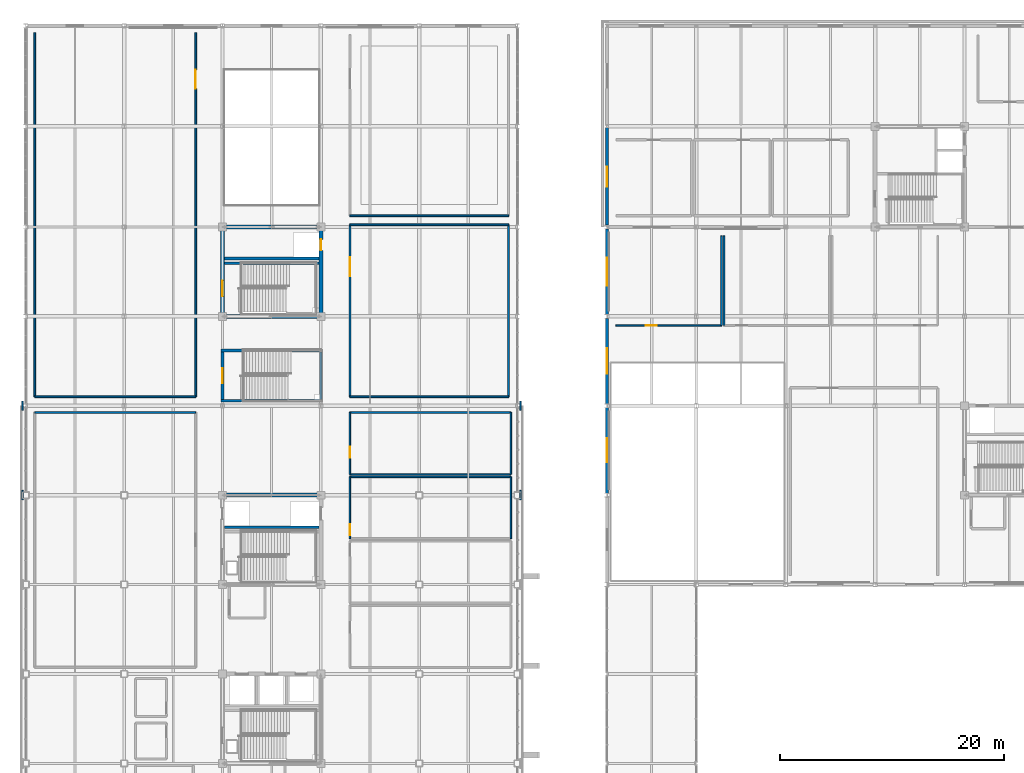
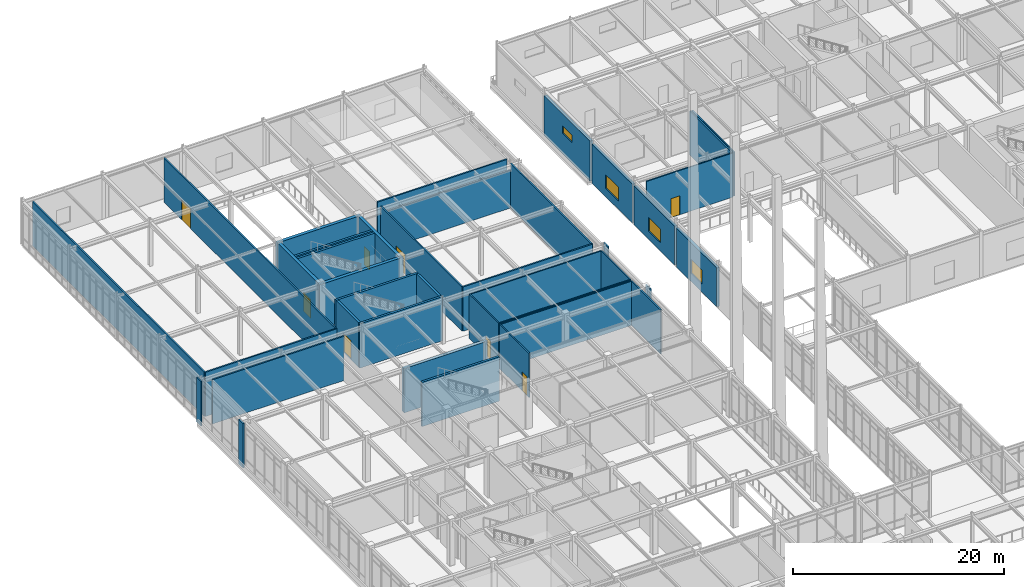
# One storey, part 164 of 184: 39 walls, 8 doors, 4 windows, 12 openings.
"""IFC4 building model written with IfcOpenShell, lengths in metres."""

from ifc_helpers import new_model, si_unit, direction, frame, frame_2d, origin, place, context, subcontext, project, spatial, rectangle, extrude, material, layer, layer_set, type_object, element, fill, save


model = new_model("IFC4")

# Units and contexts
model_context = context("Model", 3, precision=1e-05, world=origin(), true_north=direction((0.0, 1.0)))
body_context = subcontext(model_context, "Body", "Model", "MODEL_VIEW")
ifc_project = project(units=[si_unit("LENGTHUNIT", "METRE"), si_unit("AREAUNIT", "SQUARE_METRE"), si_unit("VOLUMEUNIT", "CUBIC_METRE"), si_unit("PLANEANGLEUNIT", "RADIAN"), si_unit("MASSUNIT", "GRAM", prefix="KILO")], contexts=[model_context])

# Site, building, storey
site_placement = place(None, origin())
site = spatial("IfcSite", under=ifc_project, at=site_placement, CompositionType="ELEMENT")
building_placement = place(site_placement, origin())
building = spatial("IfcBuilding", under=site, at=building_placement, Name="Zhaolan Boulevard Law Courts", CompositionType="ELEMENT")
storey_placement = place(building_placement, frame((0.0, 0.0, 5.39990234375)))
storey = spatial("IfcBuildingStorey", under=building, at=storey_placement, Name="L01", CompositionType="ELEMENT", Elevation=5.39990234375)

# Walls
ifc_material_1 = material(Name="Concrete C50", Category="concrete")
ifc_layer_1 = layer(ifc_material_1, 0.35009765625)
ifc_layer_set_1 = layer_set([ifc_layer_1])
wall_type_1 = type_object("IfcWallType", Name="CORE SHEAR WALL 350", PredefinedType="SHEAR", material=ifc_layer_set_1)
for number, where, z_axis, x_axis, name in (
    (1, (26.574951171875, 70.0, 0.0), (0.0, 0.0, 1.0), (-1.0, 0.0, 0.0), "Core Shear Wall CW-W2-L01N"),
    (2, (17.425048828125, 86.0, 0.0), (0.0, 0.0, 1.0), (1.0, 0.0, 0.0), "Core Shear Wall CW-L1-L01S"),
    (3, (26.574951171875, 94.0, 0.0), (0.0, 0.0, 1.0), (-1.0, 0.0, 0.0), "Core Shear Wall CW-L1-L01N"),
):
    element("IfcWall", number, at=place(storey_placement, frame(where, z_axis=z_axis, x_axis=x_axis)), inside=storey, type_object=wall_type_1, Name=name, PredefinedType="SHEAR", context=body_context, shape_type="SweptSolid", body=[
        extrude(rectangle(XDim=9.14990234375, YDim=0.35009765625, at=frame_2d((4.574951171875, 0.0))), origin(), (0.0, 0.0, 1.0), 5.1201171875),
    ])

# Wall, opening, door
wall_1_placement = place(storey_placement, frame((17.60009765625, 86.175048828125, 0.0), z_axis=(0.0, 0.0, 1.0), x_axis=(0.0, 1.0, 0.0)))
wall_1 = element("IfcWall", 4, at=wall_1_placement, inside=storey, type_object=wall_type_1, Name="Core Shear Wall CW-L1-L01W", PredefinedType="SHEAR", context=body_context, shape_type="SweptSolid", body=[
    extrude(rectangle(XDim=7.64990234375, YDim=0.35009765625, at=frame_2d((3.824951171875, 0.0))), origin(), (0.0, 0.0, 1.0), 5.1201171875),
])
opening_1_placement = place(wall_1_placement, frame((1.625, 0.0, 0.0)))
opening_1 = element("IfcOpeningElement", 5, at=opening_1_placement, cuts=wall_1, Name="Opening SD-L01-39", PredefinedType="OPENING", context=body_context, shape_type="SweptSolid", body=[
    extrude(rectangle(XDim=1.39990234375, YDim=2.199951171875, at=frame_2d((0.699951171875, 1.10009765625))), frame((0.0, 0.18505859375, 0.0), z_axis=(0.0, -1.0, 0.0), x_axis=(1.0, 0.0, 0.0)), (0.0, 0.0, 1.0), 0.3701171875),
])
ifc_material_2 = material(Name="Fire-rated steel acoustic door", Category="steel")
door_type_1 = type_object("IfcDoorType", Name="STAIR FIRE 1400X2200 L", OperationType="SINGLE_SWING_LEFT", PredefinedType="DOOR", material=ifc_material_2)
door_1_placement = place(opening_1_placement, origin())
door_1 = element("IfcDoor", 6, at=door_1_placement, inside=storey, type_object=door_type_1, Name="Smoke-Proof Stairwell Fire Door SD-L01-39", OperationType="SINGLE_SWING_LEFT", OverallHeight=2.199951171875, OverallWidth=1.39990234375, PredefinedType="DOOR", context=body_context, shape_type="SweptSolid", body=[
    extrude(rectangle(XDim=1.39990234375, YDim=2.199951171875, at=frame_2d((0.699951171875, 1.10009765625))), frame((0.0, 0.02490234375, 0.0), z_axis=(0.0, -1.0, 0.0), x_axis=(1.0, 0.0, 0.0)), (0.0, 0.0, 1.0), 0.050048828125),
])
fill(opening_1, door_1)

wall_2_placement = place(storey_placement, frame((26.39990234375, 86.175048828125, 0.0), z_axis=(0.0, 0.0, 1.0), x_axis=(0.0, 1.0, 0.0)))
wall_2 = element("IfcWall", 7, at=wall_2_placement, inside=storey, type_object=wall_type_1, Name="Core Shear Wall CW-L1-L01E", PredefinedType="SHEAR", context=body_context, shape_type="SweptSolid", body=[
    extrude(rectangle(XDim=7.64990234375, YDim=0.35009765625, at=frame_2d((3.824951171875, 0.0))), origin(), (0.0, 0.0, 1.0), 5.1201171875),
])
opening_2_placement = place(wall_2_placement, frame((5.72509765625, 0.0, 0.0)))
opening_2 = element("IfcOpeningElement", 8, at=opening_2_placement, cuts=wall_2, Name="Opening LD-PL-04-L01", PredefinedType="OPENING", context=body_context, shape_type="SweptSolid", body=[
    extrude(rectangle(XDim=1.0, YDim=2.14990234375, at=frame_2d((0.5, 1.074951171875))), frame((0.0, 0.18505859375, 0.0), z_axis=(0.0, -1.0, 0.0), x_axis=(1.0, 0.0, 0.0)), (0.0, 0.0, 1.0), 0.3701171875),
])
ifc_material_3 = material(Name="Stainless steel sliding landing door", Category="steel")
door_type_2 = type_object("IfcDoorType", Name="LIFT LANDING 1000X2150", OperationType="DOUBLE_DOOR_SLIDING", PredefinedType="DOOR", material=ifc_material_3)
door_2_placement = place(opening_2_placement, origin())
door_2 = element("IfcDoor", 9, at=door_2_placement, inside=storey, type_object=door_type_2, Name="Lift Landing Sliding Door LD-PL-04-L01", OperationType="DOUBLE_DOOR_SLIDING", OverallHeight=2.14990234375, OverallWidth=1.0, PredefinedType="DOOR", context=body_context, shape_type="SweptSolid", body=[
    extrude(rectangle(XDim=1.0, YDim=2.14990234375, at=frame_2d((0.5, 1.074951171875))), frame((0.0, 0.02490234375, 0.0), z_axis=(0.0, -1.0, 0.0), x_axis=(1.0, 0.0, 0.0)), (0.0, 0.0, 1.0), 0.050048828125),
])
fill(opening_2, door_2)

# Walls
ifc_material_4 = material(Name="Concrete C40", Category="concrete")
ifc_layer_2 = layer(ifc_material_4, 0.139892578125)
ifc_layer_set_2 = layer_set([ifc_layer_2])
wall_type_2 = type_object("IfcWallType", Name="EXT WALL ARCH CLAD140", PredefinedType="SOLIDWALL", material=ifc_layer_set_2)
for number, where, z_axis, x_axis, name in (
    (10, (-0.280029296875, 69.580078125, 0.0), (0.0, 0.0, 1.0), (0.0, 1.0, 0.0), "Concrete Column Cloak Pier CPR-050"),
    (11, (44.280029296875, 69.580078125, 0.0), (0.0, 0.0, 1.0), (0.0, 1.0, 0.0), "Concrete Column Cloak Pier CPR-051"),
    (12, (-0.280029296875, 77.580078125, 0.0), (0.0, 0.0, 1.0), (0.0, 1.0, 0.0), "Concrete Column Cloak Pier CPR-052"),
    (13, (44.280029296875, 77.580078125, 0.0), (0.0, 0.0, 1.0), (0.0, 1.0, 0.0), "Concrete Column Cloak Pier CPR-053"),
):
    element("IfcWall", number, at=place(storey_placement, frame(where, z_axis=z_axis, x_axis=x_axis)), inside=storey, type_object=wall_type_2, Name=name, PredefinedType="SOLIDWALL", context=body_context, shape_type="SweptSolid", body=[
        extrude(rectangle(XDim=0.83984375, YDim=0.139892578125, at=frame_2d((0.419921875, 0.0))), origin(), (0.0, 0.0, 1.0), 5.14013671875),
    ])

# Wall, opening, window
ifc_material_5 = material(Name="Concrete C40", Category="concrete")
ifc_layer_3 = layer(ifc_material_5, 0.300048828125)
ifc_layer_set_3 = layer_set([ifc_layer_3])
wall_type_3 = type_object("IfcWallType", Name="EXT WALL CONCRETE300", PredefinedType="SOLIDWALL", material=ifc_layer_set_3)
wall_3_placement = place(storey_placement, frame((52.0, 77.8291015625, 0.0), z_axis=(0.0, 0.0, 1.0), x_axis=(0.0, -1.0, 0.0)))
wall_3 = element("IfcWall", 14, at=wall_3_placement, inside=storey, type_object=wall_type_3, Name="Exterior Wall EW-L01-230", PredefinedType="SOLIDWALL", context=body_context, shape_type="SweptSolid", body=[
    extrude(rectangle(XDim=7.658203125, YDim=0.300048828125, at=frame_2d((3.8291015625, 0.0))), origin(), (0.0, 0.0, 1.0), 4.503173828125),
])
opening_3_placement = place(wall_3_placement, frame((2.75390625, 0.0, 0.949951171875)))
opening_3 = element("IfcOpeningElement", 15, at=opening_3_placement, cuts=wall_3, Name="Opening WIN-L01-087", PredefinedType="OPENING", context=body_context, shape_type="SweptSolid", body=[
    extrude(rectangle(XDim=2.14990234375, YDim=1.60009765625, at=frame_2d((1.074951171875, 0.800048828125))), frame((0.0, 0.159912109375, 0.0), z_axis=(0.0, -1.0, 0.0), x_axis=(1.0, 0.0, 0.0)), (0.0, 0.0, 1.0), 0.320068359375),
])
ifc_material_6 = material(Name="Thermally broken aluminium and low-E glazing", Category="aluminium")
window_type_1 = type_object("IfcWindowType", Name="WINDOW 2150X1600", PartitioningType="DOUBLE_PANEL_VERTICAL", PredefinedType="WINDOW", material=ifc_material_6)
window_1_placement = place(opening_3_placement, origin())
window_1 = element("IfcWindow", 16, at=window_1_placement, inside=storey, type_object=window_type_1, Name="Exterior Window WIN-L01-087", OverallHeight=1.60009765625, OverallWidth=2.14990234375, PartitioningType="SINGLE_PANEL", PredefinedType="WINDOW", context=body_context, shape_type="SweptSolid", body=[
    extrude(rectangle(XDim=2.14990234375, YDim=1.60009765625, at=frame_2d((1.074951171875, 0.800048828125))), frame((0.0, 0.030029296875, 0.0), z_axis=(0.0, -1.0, 0.0), x_axis=(1.0, 0.0, 0.0)), (0.0, 0.0, 1.0), 0.06005859375),
])
fill(opening_3, window_1)

wall_4_placement = place(storey_placement, frame((52.0, 85.8291015625, 0.0), z_axis=(0.0, 0.0, 1.0), x_axis=(0.0, -1.0, 0.0)))
wall_4 = element("IfcWall", 17, at=wall_4_placement, inside=storey, type_object=wall_type_3, Name="Exterior Wall EW-L01-231", PredefinedType="SOLIDWALL", context=body_context, shape_type="SweptSolid", body=[
    extrude(rectangle(XDim=7.658203125, YDim=0.300048828125, at=frame_2d((3.8291015625, 0.0))), origin(), (0.0, 0.0, 1.0), 4.503173828125),
])
opening_4_placement = place(wall_4_placement, frame((2.678955078125, 0.0, 0.949951171875)))
opening_4 = element("IfcOpeningElement", 18, at=opening_4_placement, cuts=wall_4, Name="Opening WIN-L01-088", PredefinedType="OPENING", context=body_context, shape_type="SweptSolid", body=[
    extrude(rectangle(XDim=2.300048828125, YDim=1.60009765625, at=frame_2d((1.14990234375, 0.800048828125))), frame((0.0, 0.159912109375, 0.0), z_axis=(0.0, -1.0, 0.0), x_axis=(1.0, 0.0, 0.0)), (0.0, 0.0, 1.0), 0.320068359375),
])
ifc_material_7 = material(Name="Thermally broken aluminium and low-E glazing", Category="aluminium")
window_type_2 = type_object("IfcWindowType", Name="WINDOW 2300X1600", PartitioningType="DOUBLE_PANEL_VERTICAL", PredefinedType="WINDOW", material=ifc_material_7)
window_2_placement = place(opening_4_placement, origin())
window_2 = element("IfcWindow", 19, at=window_2_placement, inside=storey, type_object=window_type_2, Name="Exterior Window WIN-L01-088", OverallHeight=1.60009765625, OverallWidth=2.300048828125, PartitioningType="SINGLE_PANEL", PredefinedType="WINDOW", context=body_context, shape_type="SweptSolid", body=[
    extrude(rectangle(XDim=2.300048828125, YDim=1.60009765625, at=frame_2d((1.14990234375, 0.800048828125))), frame((0.0, 0.030029296875, 0.0), z_axis=(0.0, -1.0, 0.0), x_axis=(1.0, 0.0, 0.0)), (0.0, 0.0, 1.0), 0.06005859375),
])
fill(opening_4, window_2)

wall_5_placement = place(storey_placement, frame((52.0, 93.8291015625, 0.0), z_axis=(0.0, 0.0, 1.0), x_axis=(0.0, -1.0, 0.0)))
wall_5 = element("IfcWall", 20, at=wall_5_placement, inside=storey, type_object=wall_type_3, Name="Exterior Wall EW-L01-232", PredefinedType="SOLIDWALL", context=body_context, shape_type="SweptSolid", body=[
    extrude(rectangle(XDim=7.658203125, YDim=0.300048828125, at=frame_2d((3.8291015625, 0.0))), origin(), (0.0, 0.0, 1.0), 4.503173828125),
])
opening_5_placement = place(wall_5_placement, frame((2.5791015625, 0.0, 0.949951171875)))
opening_5 = element("IfcOpeningElement", 21, at=opening_5_placement, cuts=wall_5, Name="Opening WIN-L01-089", PredefinedType="OPENING", context=body_context, shape_type="SweptSolid", body=[
    extrude(rectangle(XDim=2.5, YDim=1.60009765625, at=frame_2d((1.25, 0.800048828125))), frame((0.0, 0.159912109375, 0.0), z_axis=(0.0, -1.0, 0.0), x_axis=(1.0, 0.0, 0.0)), (0.0, 0.0, 1.0), 0.320068359375),
])
ifc_material_8 = material(Name="Thermally broken aluminium and low-E glazing", Category="aluminium")
window_type_3 = type_object("IfcWindowType", Name="WINDOW 2500X1600", PartitioningType="DOUBLE_PANEL_VERTICAL", PredefinedType="WINDOW", material=ifc_material_8)
window_3_placement = place(opening_5_placement, origin())
window_3 = element("IfcWindow", 22, at=window_3_placement, inside=storey, type_object=window_type_3, Name="Exterior Window WIN-L01-089", OverallHeight=1.60009765625, OverallWidth=2.5, PartitioningType="SINGLE_PANEL", PredefinedType="WINDOW", context=body_context, shape_type="SweptSolid", body=[
    extrude(rectangle(XDim=2.5, YDim=1.60009765625, at=frame_2d((1.25, 0.800048828125))), frame((0.0, 0.030029296875, 0.0), z_axis=(0.0, -1.0, 0.0), x_axis=(1.0, 0.0, 0.0)), (0.0, 0.0, 1.0), 0.06005859375),
])
fill(opening_5, window_3)

wall_6_placement = place(storey_placement, frame((52.0, 102.87890625, 0.0), z_axis=(0.0, 0.0, 1.0), x_axis=(0.0, -1.0, 0.0)))
wall_6 = element("IfcWall", 23, at=wall_6_placement, inside=storey, type_object=wall_type_3, Name="Exterior Wall EW-L01-324", PredefinedType="SOLIDWALL", context=body_context, shape_type="SweptSolid", body=[
    extrude(rectangle(XDim=8.7080078125, YDim=0.300048828125, at=frame_2d((4.35400390625, 0.0))), origin(), (0.0, 0.0, 1.0), 4.64111328125),
])
opening_6_placement = place(wall_6_placement, frame((3.47900390625, 0.0, 2.39990234375)))
opening_6 = element("IfcOpeningElement", 24, at=opening_6_placement, cuts=wall_6, Name="Opening WIN-L01-179", PredefinedType="OPENING", context=body_context, shape_type="SweptSolid", body=[
    extrude(rectangle(XDim=1.800048828125, YDim=0.85009765625, at=frame_2d((0.89990234375, 0.425048828125))), frame((0.0, 0.159912109375, 0.0), z_axis=(0.0, -1.0, 0.0), x_axis=(1.0, 0.0, 0.0)), (0.0, 0.0, 1.0), 0.320068359375),
])
ifc_material_9 = material(Name="Thermally broken aluminium and low-E glazing", Category="aluminium")
window_type_4 = type_object("IfcWindowType", Name="WINDOW 1800X850", PartitioningType="DOUBLE_PANEL_VERTICAL", PredefinedType="WINDOW", material=ifc_material_9)
window_4_placement = place(opening_6_placement, origin())
window_4 = element("IfcWindow", 25, at=window_4_placement, inside=storey, type_object=window_type_4, Name="Exterior Window WIN-L01-179", OverallHeight=0.85009765625, OverallWidth=1.800048828125, PartitioningType="SINGLE_PANEL", PredefinedType="WINDOW", context=body_context, shape_type="SweptSolid", body=[
    extrude(rectangle(XDim=1.800048828125, YDim=0.85009765625, at=frame_2d((0.89990234375, 0.425048828125))), frame((0.0, 0.030029296875, 0.0), z_axis=(0.0, -1.0, 0.0), x_axis=(1.0, 0.0, 0.0)), (0.0, 0.0, 1.0), 0.06005859375),
])
fill(opening_6, window_4)

# Walls
ifc_material_10 = material(Name="Concrete C50", Category="concrete")
ifc_layer_4 = layer(ifc_material_10, 0.239990234375)
ifc_layer_set_4 = layer_set([ifc_layer_4])
wall_type_4 = type_object("IfcWallType", Name="LIFT SHAFT WALL 240", PredefinedType="SHEAR", material=ifc_layer_set_4)
for number, where, z_axis, x_axis, name in (
    (26, (17.77490234375, 67.1298828125, 0.0), (0.0, 0.0, 1.0), (1.0, 0.0, 0.0), "Lift Shaft Enclosure Wall W2 (L01)"),
    (27, (17.77490234375, 91.179931640625, 0.0), (0.0, 0.0, 1.0), (1.0, 0.0, 0.0), "Lift Shaft Enclosure Wall L1 (L01)"),
):
    element("IfcWall", number, at=place(storey_placement, frame(where, z_axis=z_axis, x_axis=x_axis)), inside=storey, type_object=wall_type_4, Name=name, PredefinedType="SHEAR", context=body_context, shape_type="SweptSolid", body=[
        extrude(rectangle(XDim=8.4501953125, YDim=0.239990234375, at=frame_2d((4.22509765625, 0.0))), origin(), (0.0, 0.0, 1.0), 5.1201171875),
    ])
ifc_material_11 = material(Name="Fire-rated gypsum stud partition")
ifc_layer_5 = layer(ifc_material_11, 0.159912109375)
ifc_layer_set_5 = layer_set([ifc_layer_5])
wall_type_5 = type_object("IfcWallType", Name="PART WALL CHAMB160", PredefinedType="PARTITIONING", material=ifc_layer_set_5)
wall_7_placement = place(storey_placement, frame((0.800048828125, 78.800048828125, 0.0), z_axis=(0.0, 0.0, 1.0), x_axis=(1.0, 0.0, 0.0)))
element("IfcWall", 28, at=wall_7_placement, inside=storey, type_object=wall_type_5, Name="Interior Partition PW-L01-393", PredefinedType="PARTITIONING", context=body_context, shape_type="SweptSolid", body=[
    extrude(rectangle(XDim=14.39990234375, YDim=0.159912109375, at=frame_2d((7.199951171875, 0.0))), origin(), (0.0, 0.0, 1.0), 5.1201171875),
])
wall_8_placement = place(storey_placement, frame((0.800048828125, 111.39990234375, 0.0), z_axis=(0.0, 0.0, 1.0), x_axis=(0.0, -1.0, 0.0)))
element("IfcWall", 29, at=wall_8_placement, inside=storey, type_object=wall_type_5, Name="Interior Partition PW-L01-394", PredefinedType="PARTITIONING", context=body_context, shape_type="SweptSolid", body=[
    extrude(rectangle(XDim=32.599853515625, YDim=0.159912109375, at=frame_2d((16.2998046875, 0.0))), origin(), (0.0, 0.0, 1.0), 5.1201171875),
])

# Wall, opening, door
wall_9_placement = place(storey_placement, frame((15.199951171875, 78.800048828125, 0.0), z_axis=(0.0, 0.0, 1.0), x_axis=(0.0, 1.0, 0.0)))
wall_9 = element("IfcWall", 30, at=wall_9_placement, inside=storey, type_object=wall_type_5, Name="Interior Partition PW-L01-395", PredefinedType="PARTITIONING", context=body_context, shape_type="SweptSolid", body=[
    extrude(rectangle(XDim=32.599853515625, YDim=0.159912109375, at=frame_2d((16.2998046875, 0.0))), origin(), (0.0, 0.0, 1.0), 5.1201171875),
])
opening_7_placement = place(wall_9_placement, frame((27.570068359375, 0.0, 0.0)))
opening_7 = element("IfcOpeningElement", 31, at=opening_7_placement, cuts=wall_9, Name="Opening ID-L01-123", PredefinedType="OPENING", context=body_context, shape_type="SweptSolid", body=[
    extrude(rectangle(XDim=1.699951171875, YDim=2.300048828125, at=frame_2d((0.85009765625, 1.14990234375))), frame((0.0, 0.08984375, 0.0), z_axis=(0.0, -1.0, 0.0), x_axis=(1.0, 0.0, 0.0)), (0.0, 0.0, 1.0), 0.179931640625),
])
ifc_material_12 = material(Name="Solid-core acoustic oak veneer door")
door_type_3 = type_object("IfcDoorType", Name="LIB DOUBLE 1700X2300", OperationType="DOUBLE_DOOR_SINGLE_SWING", PredefinedType="DOOR", material=ifc_material_12)
door_3_placement = place(opening_7_placement, origin())
door_3 = element("IfcDoor", 32, at=door_3_placement, inside=storey, type_object=door_type_3, Name="Door ID-L01-123 (Law Library Main Reading Room)", OperationType="DOUBLE_DOOR_SINGLE_SWING", OverallHeight=2.300048828125, OverallWidth=1.699951171875, PredefinedType="DOOR", context=body_context, shape_type="SweptSolid", body=[
    extrude(rectangle(XDim=1.699951171875, YDim=2.300048828125, at=frame_2d((0.85009765625, 1.14990234375))), frame((0.0, 0.02490234375, 0.0), z_axis=(0.0, -1.0, 0.0), x_axis=(1.0, 0.0, 0.0)), (0.0, 0.0, 1.0), 0.050048828125),
])
fill(opening_7, door_3)

# Walls
wall_10_placement = place(storey_placement, frame((29.0, 95.0, 0.0), z_axis=(0.0, 0.0, 1.0), x_axis=(1.0, 0.0, 0.0)))
element("IfcWall", 33, at=wall_10_placement, inside=storey, type_object=wall_type_5, Name="Interior Partition PW-L01-396", PredefinedType="PARTITIONING", context=body_context, shape_type="SweptSolid", body=[
    extrude(rectangle(XDim=14.199951171875, YDim=0.159912109375, at=frame_2d((7.10009765625, 0.0))), origin(), (0.0, 0.0, 1.0), 5.1201171875),
])
wall_11_placement = place(storey_placement, frame((15.199951171875, 77.39990234375, 0.0), z_axis=(0.0, 0.0, 1.0), x_axis=(-1.0, 0.0, 0.0)))
element("IfcWall", 34, at=wall_11_placement, inside=storey, type_object=wall_type_5, Name="Interior Partition PW-L01-404", PredefinedType="PARTITIONING", context=body_context, shape_type="SweptSolid", body=[
    extrude(rectangle(XDim=14.39990234375, YDim=0.159912109375, at=frame_2d((7.199951171875, 0.0))), origin(), (0.0, 0.0, 1.0), 5.1201171875),
])
wall_12_placement = place(storey_placement, frame((29.0, 78.800048828125, 0.0), z_axis=(0.0, 0.0, 1.0), x_axis=(1.0, 0.0, 0.0)))
element("IfcWall", 35, at=wall_12_placement, inside=storey, type_object=wall_type_5, Name="Interior Partition PW-L01-763", PredefinedType="PARTITIONING", context=body_context, shape_type="SweptSolid", body=[
    extrude(rectangle(XDim=14.199951171875, YDim=0.159912109375, at=frame_2d((7.10009765625, 0.0))), origin(), (0.0, 0.0, 1.0), 5.1201171875),
])
wall_13_placement = place(storey_placement, frame((43.199951171875, 94.199951171875, 0.0), z_axis=(0.0, 0.0, 1.0), x_axis=(-1.0, 0.0, 0.0)))
element("IfcWall", 36, at=wall_13_placement, inside=storey, type_object=wall_type_5, Name="Interior Partition PW-L01-764", PredefinedType="PARTITIONING", context=body_context, shape_type="SweptSolid", body=[
    extrude(rectangle(XDim=14.199951171875, YDim=0.159912109375, at=frame_2d((7.10009765625, 0.0))), origin(), (0.0, 0.0, 1.0), 4.406005859375),
])

# Wall, opening, door
wall_14_placement = place(storey_placement, frame((29.0, 94.199951171875, 0.0), z_axis=(0.0, 0.0, 1.0), x_axis=(0.0, -1.0, 0.0)))
wall_14 = element("IfcWall", 37, at=wall_14_placement, inside=storey, type_object=wall_type_5, Name="Interior Partition PW-L01-765", PredefinedType="PARTITIONING", context=body_context, shape_type="SweptSolid", body=[
    extrude(rectangle(XDim=15.39990234375, YDim=0.159912109375, at=frame_2d((7.699951171875, 0.0))), origin(), (0.0, 0.0, 1.0), 5.1201171875),
])
opening_8_placement = place(wall_14_placement, frame((2.919921875, 0.0, 0.0)))
opening_8 = element("IfcOpeningElement", 38, at=opening_8_placement, cuts=wall_14, Name="Opening ID-L01-239", PredefinedType="OPENING", context=body_context, shape_type="SweptSolid", body=[
    extrude(rectangle(XDim=1.699951171875, YDim=2.300048828125, at=frame_2d((0.85009765625, 1.14990234375))), frame((0.0, 0.08984375, 0.0), z_axis=(0.0, -1.0, 0.0), x_axis=(1.0, 0.0, 0.0)), (0.0, 0.0, 1.0), 0.179931640625),
])
door_4_placement = place(opening_8_placement, origin())
door_4 = element("IfcDoor", 39, at=door_4_placement, inside=storey, type_object=door_type_3, Name="Door ID-L01-239 (Law Library Case Preparation Hall L01)", OperationType="DOUBLE_DOOR_SINGLE_SWING", OverallHeight=2.300048828125, OverallWidth=1.699951171875, PredefinedType="DOOR", context=body_context, shape_type="SweptSolid", body=[
    extrude(rectangle(XDim=1.699951171875, YDim=2.300048828125, at=frame_2d((0.85009765625, 1.14990234375))), frame((0.0, 0.02490234375, 0.0), z_axis=(0.0, -1.0, 0.0), x_axis=(1.0, 0.0, 0.0)), (0.0, 0.0, 1.0), 0.050048828125),
])
fill(opening_8, door_4)

# Wall
wall_15_placement = place(storey_placement, frame((43.199951171875, 78.800048828125, 0.0), z_axis=(0.0, 0.0, 1.0), x_axis=(0.0, 1.0, 0.0)))
element("IfcWall", 40, at=wall_15_placement, inside=storey, type_object=wall_type_5, Name="Interior Partition PW-L01-766", PredefinedType="PARTITIONING", context=body_context, shape_type="SweptSolid", body=[
    extrude(rectangle(XDim=15.39990234375, YDim=0.159912109375, at=frame_2d((7.699951171875, 0.0))), origin(), (0.0, 0.0, 1.0), 5.1201171875),
])

# Wall, opening, door
ifc_material_13 = material(Name="Fire-rated gypsum stud partition")
ifc_layer_6 = layer(ifc_material_13, 0.139892578125)
ifc_layer_set_6 = layer_set([ifc_layer_6])
wall_type_6 = type_object("IfcWallType", Name="PART WALL OFFICE140", PredefinedType="PARTITIONING", material=ifc_layer_set_6)
wall_16_placement = place(storey_placement, frame((52.800048828125, 85.199951171875, 0.0), z_axis=(0.0, 0.0, 1.0), x_axis=(1.0, 0.0, 0.0)))
wall_16 = element("IfcWall", 41, at=wall_16_placement, inside=storey, type_object=wall_type_6, Name="Interior Partition PW-L01-373", PredefinedType="PARTITIONING", context=body_context, shape_type="SweptSolid", body=[
    extrude(rectangle(XDim=9.452880859375, YDim=0.139892578125, at=frame_2d((4.7265625, 0.0))), origin(), (0.0, 0.0, 1.0), 5.1201171875),
])
opening_9_placement = place(wall_16_placement, frame((2.656005859375, 0.0, 0.0)))
opening_9 = element("IfcOpeningElement", 42, at=opening_9_placement, cuts=wall_16, Name="Opening JD-L01-116", PredefinedType="OPENING", context=body_context, shape_type="SweptSolid", body=[
    extrude(rectangle(XDim=1.0, YDim=2.199951171875, at=frame_2d((0.5, 1.10009765625))), frame((0.0, 0.079833984375, 0.0), z_axis=(0.0, -1.0, 0.0), x_axis=(1.0, 0.0, 0.0)), (0.0, 0.0, 1.0), 0.159912109375),
])
ifc_material_14 = material(Name="Solid-core acoustic oak veneer door")
door_type_4 = type_object("IfcDoorType", Name="CHAMBER DOOR 1000X2200 L", OperationType="SINGLE_SWING_LEFT", PredefinedType="DOOR", material=ifc_material_14)
door_5_placement = place(opening_9_placement, origin())
door_5 = element("IfcDoor", 43, at=door_5_placement, inside=storey, type_object=door_type_4, Name="Door JD-L01-116 (Judges' Chambers L01-01)", OperationType="SINGLE_SWING_LEFT", OverallHeight=2.199951171875, OverallWidth=1.0, PredefinedType="DOOR", context=body_context, shape_type="SweptSolid", body=[
    extrude(rectangle(XDim=1.0, YDim=2.199951171875, at=frame_2d((0.5, 1.10009765625))), frame((0.0, 0.02490234375, 0.0), z_axis=(0.0, -1.0, 0.0), x_axis=(1.0, 0.0, 0.0)), (0.0, 0.0, 1.0), 0.050048828125),
])
fill(opening_9, door_5)

# Walls
for number, where, z_axis, x_axis, name in (
    (44, (62.2529296875, 85.199951171875, 0.0), (0.0, 0.0, 1.0), (0.0, 1.0, 0.0), "Interior Partition PW-L01-374"),
    (45, (62.472900390625, 93.199951171875, 0.0), (0.0, 0.0, 1.0), (0.0, -1.0, 0.0), "Interior Partition PW-L01-376"),
):
    element("IfcWall", number, at=place(storey_placement, frame(where, z_axis=z_axis, x_axis=x_axis)), inside=storey, type_object=wall_type_6, Name=name, PredefinedType="PARTITIONING", context=body_context, shape_type="SweptSolid", body=[
        extrude(rectangle(XDim=8.0, YDim=0.139892578125, at=frame_2d((4.0, 0.0))), origin(), (0.0, 0.0, 1.0), 5.1201171875),
    ])
wall_17_placement = place(storey_placement, frame((43.39990234375, 71.64501953125, 0.0), z_axis=(0.0, 0.0, 1.0), x_axis=(-1.0, 0.0, 0.0)))
element("IfcWall", 46, at=wall_17_placement, inside=storey, type_object=wall_type_6, Name="Interior Partition PW-L01-416", PredefinedType="PARTITIONING", context=body_context, shape_type="SweptSolid", body=[
    extrude(rectangle(XDim=14.39990234375, YDim=0.139892578125, at=frame_2d((7.199951171875, 0.0))), origin(), (0.0, 0.0, 1.0), 5.1201171875),
])

# Wall, opening, door
wall_18_placement = place(storey_placement, frame((29.0, 71.64501953125, 0.0), z_axis=(0.0, 0.0, 1.0), x_axis=(0.0, -1.0, 0.0)))
wall_18 = element("IfcWall", 47, at=wall_18_placement, inside=storey, type_object=wall_type_6, Name="Interior Partition PW-L01-417", PredefinedType="PARTITIONING", context=body_context, shape_type="SweptSolid", body=[
    extrude(rectangle(XDim=5.534912109375, YDim=0.139892578125, at=frame_2d((2.767578125, 0.0))), origin(), (0.0, 0.0, 1.0), 5.1201171875),
])
opening_10_placement = place(wall_18_placement, frame((4.2548828125, 0.0, 0.0)))
opening_10 = element("IfcOpeningElement", 48, at=opening_10_placement, cuts=wall_18, Name="Opening JD-L01-129", PredefinedType="OPENING", context=body_context, shape_type="SweptSolid", body=[
    extrude(rectangle(XDim=0.97998046875, YDim=2.199951171875, at=frame_2d((0.489990234375, 1.10009765625))), frame((0.0, 0.079833984375, 0.0), z_axis=(0.0, -1.0, 0.0), x_axis=(1.0, 0.0, 0.0)), (0.0, 0.0, 1.0), 0.159912109375),
])
ifc_material_15 = material(Name="Solid-core acoustic oak veneer door")
door_type_5 = type_object("IfcDoorType", Name="CHAMBER DOOR 980X2200 R", OperationType="SINGLE_SWING_RIGHT", PredefinedType="DOOR", material=ifc_material_15)
door_6_placement = place(opening_10_placement, origin())
door_6 = element("IfcDoor", 49, at=door_6_placement, inside=storey, type_object=door_type_5, Name="Door JD-L01-129 (Judges' Chambers L01-03)", OperationType="SINGLE_SWING_RIGHT", OverallHeight=2.199951171875, OverallWidth=0.97998046875, PredefinedType="DOOR", context=body_context, shape_type="SweptSolid", body=[
    extrude(rectangle(XDim=0.97998046875, YDim=2.199951171875, at=frame_2d((0.489990234375, 1.10009765625))), frame((0.0, 0.02490234375, 0.0), z_axis=(0.0, -1.0, 0.0), x_axis=(1.0, 0.0, 0.0)), (0.0, 0.0, 1.0), 0.050048828125),
])
fill(opening_10, door_6)

# Walls
wall_19_placement = place(storey_placement, frame((43.39990234375, 66.110107421875, 0.0), z_axis=(0.0, 0.0, 1.0), x_axis=(0.0, 1.0, 0.0)))
element("IfcWall", 50, at=wall_19_placement, inside=storey, type_object=wall_type_6, Name="Interior Partition PW-L01-418", PredefinedType="PARTITIONING", context=body_context, shape_type="SweptSolid", body=[
    extrude(rectangle(XDim=5.534912109375, YDim=0.139892578125, at=frame_2d((2.767578125, 0.0))), origin(), (0.0, 0.0, 1.0), 5.1201171875),
])
for number, where, z_axis, x_axis, name in (
    (51, (29.0, 71.864990234375, 0.0), (0.0, 0.0, 1.0), (1.0, 0.0, 0.0), "Interior Partition PW-L01-419"),
    (52, (43.39990234375, 77.39990234375, 0.0), (0.0, 0.0, 1.0), (-1.0, 0.0, 0.0), "Interior Partition PW-L01-420"),
):
    element("IfcWall", number, at=place(storey_placement, frame(where, z_axis=z_axis, x_axis=x_axis)), inside=storey, type_object=wall_type_6, Name=name, PredefinedType="PARTITIONING", context=body_context, shape_type="SweptSolid", body=[
        extrude(rectangle(XDim=14.39990234375, YDim=0.139892578125, at=frame_2d((7.199951171875, 0.0))), origin(), (0.0, 0.0, 1.0), 5.1201171875),
    ])

# Wall, opening, door
wall_20_placement = place(storey_placement, frame((29.0, 77.39990234375, 0.0), z_axis=(0.0, 0.0, 1.0), x_axis=(0.0, -1.0, 0.0)))
wall_20 = element("IfcWall", 53, at=wall_20_placement, inside=storey, type_object=wall_type_6, Name="Interior Partition PW-L01-421", PredefinedType="PARTITIONING", context=body_context, shape_type="SweptSolid", body=[
    extrude(rectangle(XDim=5.534912109375, YDim=0.139892578125, at=frame_2d((2.767578125, 0.0))), origin(), (0.0, 0.0, 1.0), 5.1201171875),
])
opening_11_placement = place(wall_20_placement, frame((3.054931640625, 0.0, 0.0)))
opening_11 = element("IfcOpeningElement", 54, at=opening_11_placement, cuts=wall_20, Name="Opening JD-L01-130", PredefinedType="OPENING", context=body_context, shape_type="SweptSolid", body=[
    extrude(rectangle(XDim=1.0, YDim=2.14990234375, at=frame_2d((0.5, 1.074951171875))), frame((0.0, 0.079833984375, 0.0), z_axis=(0.0, -1.0, 0.0), x_axis=(1.0, 0.0, 0.0)), (0.0, 0.0, 1.0), 0.159912109375),
])
ifc_material_16 = material(Name="Solid-core acoustic oak veneer door")
door_type_6 = type_object("IfcDoorType", Name="CHAMBER DOOR 1000X2150 L", OperationType="SINGLE_SWING_LEFT", PredefinedType="DOOR", material=ifc_material_16)
door_7_placement = place(opening_11_placement, origin())
door_7 = element("IfcDoor", 55, at=door_7_placement, inside=storey, type_object=door_type_6, Name="Door JD-L01-130 (Judges' Chambers L01-04)", OperationType="SINGLE_SWING_LEFT", OverallHeight=2.14990234375, OverallWidth=1.0, PredefinedType="DOOR", context=body_context, shape_type="SweptSolid", body=[
    extrude(rectangle(XDim=1.0, YDim=2.14990234375, at=frame_2d((0.5, 1.074951171875))), frame((0.0, 0.02490234375, 0.0), z_axis=(0.0, -1.0, 0.0), x_axis=(1.0, 0.0, 0.0)), (0.0, 0.0, 1.0), 0.050048828125),
])
fill(opening_11, door_7)

# Walls
wall_21_placement = place(storey_placement, frame((43.39990234375, 71.864990234375, 0.0), z_axis=(0.0, 0.0, 1.0), x_axis=(0.0, 1.0, 0.0)))
element("IfcWall", 56, at=wall_21_placement, inside=storey, type_object=wall_type_6, Name="Interior Partition PW-L01-422", PredefinedType="PARTITIONING", context=body_context, shape_type="SweptSolid", body=[
    extrude(rectangle(XDim=5.534912109375, YDim=0.139892578125, at=frame_2d((2.767578125, 0.0))), origin(), (0.0, 0.0, 1.0), 5.1201171875),
])
ifc_material_17 = material(Name="Concrete C50", Category="concrete")
ifc_layer_7 = layer(ifc_material_17, 0.239990234375)
ifc_layer_set_7 = layer_set([ifc_layer_7])
wall_type_7 = type_object("IfcWallType", Name="STAIR WELL WALL 240", PredefinedType="SHEAR", material=ifc_layer_set_7)
wall_22_placement = place(storey_placement, frame((17.77490234375, 90.75, 0.0), z_axis=(0.0, 0.0, 1.0), x_axis=(1.0, 0.0, 0.0)))
element("IfcWall", 57, at=wall_22_placement, inside=storey, type_object=wall_type_7, Name="Stairwell Divider Shear Wall ST10-L01N", PredefinedType="SHEAR", context=body_context, shape_type="SweptSolid", body=[
    extrude(rectangle(XDim=8.4501953125, YDim=0.239990234375, at=frame_2d((4.22509765625, 0.0))), origin(), (0.0, 0.0, 1.0), 5.1201171875),
])
for number, where, z_axis, x_axis, name in (
    (58, (17.47998046875, 78.449951171875, 0.0), (0.0, 0.0, 1.0), (1.0, 0.0, 0.0), "Stairwell Shear Wall ST12-L01S"),
    (59, (26.52001953125, 82.949951171875, 0.0), (0.0, 0.0, 1.0), (-1.0, 0.0, 0.0), "Stairwell Shear Wall ST12-L01N"),
):
    element("IfcWall", number, at=place(storey_placement, frame(where, z_axis=z_axis, x_axis=x_axis)), inside=storey, type_object=wall_type_7, Name=name, PredefinedType="SHEAR", context=body_context, shape_type="SweptSolid", body=[
        extrude(rectangle(XDim=9.0400390625, YDim=0.239990234375, at=frame_2d((4.52001953125, 0.0))), origin(), (0.0, 0.0, 1.0), 5.1201171875),
    ])

# Wall, opening, door
wall_23_placement = place(storey_placement, frame((17.60009765625, 78.570068359375, 0.0), z_axis=(0.0, 0.0, 1.0), x_axis=(0.0, 1.0, 0.0)))
wall_23 = element("IfcWall", 60, at=wall_23_placement, inside=storey, type_object=wall_type_7, Name="Stairwell Shear Wall ST12-L01W", PredefinedType="SHEAR", context=body_context, shape_type="SweptSolid", body=[
    extrude(rectangle(XDim=4.260009765625, YDim=0.239990234375, at=frame_2d((2.1298828125, 0.0))), origin(), (0.0, 0.0, 1.0), 5.1201171875),
])
opening_12_placement = place(wall_23_placement, frame((1.455078125, 0.0, 0.0)))
opening_12 = element("IfcOpeningElement", 61, at=opening_12_placement, cuts=wall_23, Name="Opening SD-L01-60", PredefinedType="OPENING", context=body_context, shape_type="SweptSolid", body=[
    extrude(rectangle(XDim=1.35009765625, YDim=2.199951171875, at=frame_2d((0.675048828125, 1.10009765625))), frame((0.0, 0.1298828125, 0.0), z_axis=(0.0, -1.0, 0.0), x_axis=(1.0, 0.0, 0.0)), (0.0, 0.0, 1.0), 0.260009765625),
])
ifc_material_18 = material(Name="Fire-rated steel acoustic door", Category="steel")
door_type_7 = type_object("IfcDoorType", Name="STAIR FIRE 1350X2200 R", OperationType="SINGLE_SWING_RIGHT", PredefinedType="DOOR", material=ifc_material_18)
door_8_placement = place(opening_12_placement, origin())
door_8 = element("IfcDoor", 62, at=door_8_placement, inside=storey, type_object=door_type_7, Name="Smoke-Proof Stairwell Fire Door SD-L01-60", OperationType="SINGLE_SWING_RIGHT", OverallHeight=2.199951171875, OverallWidth=1.35009765625, PredefinedType="DOOR", context=body_context, shape_type="SweptSolid", body=[
    extrude(rectangle(XDim=1.35009765625, YDim=2.199951171875, at=frame_2d((0.675048828125, 1.10009765625))), frame((0.0, 0.02490234375, 0.0), z_axis=(0.0, -1.0, 0.0), x_axis=(1.0, 0.0, 0.0)), (0.0, 0.0, 1.0), 0.050048828125),
])
fill(opening_12, door_8)

# Wall
wall_24_placement = place(storey_placement, frame((26.39990234375, 78.570068359375, 0.0), z_axis=(0.0, 0.0, 1.0), x_axis=(0.0, 1.0, 0.0)))
element("IfcWall", 63, at=wall_24_placement, inside=storey, type_object=wall_type_7, Name="Stairwell Shear Wall ST12-L01E", PredefinedType="SHEAR", context=body_context, shape_type="SweptSolid", body=[
    extrude(rectangle(XDim=4.260009765625, YDim=0.239990234375, at=frame_2d((2.1298828125, 0.0))), origin(), (0.0, 0.0, 1.0), 5.1201171875),
])

save(model, "model.ifc")
